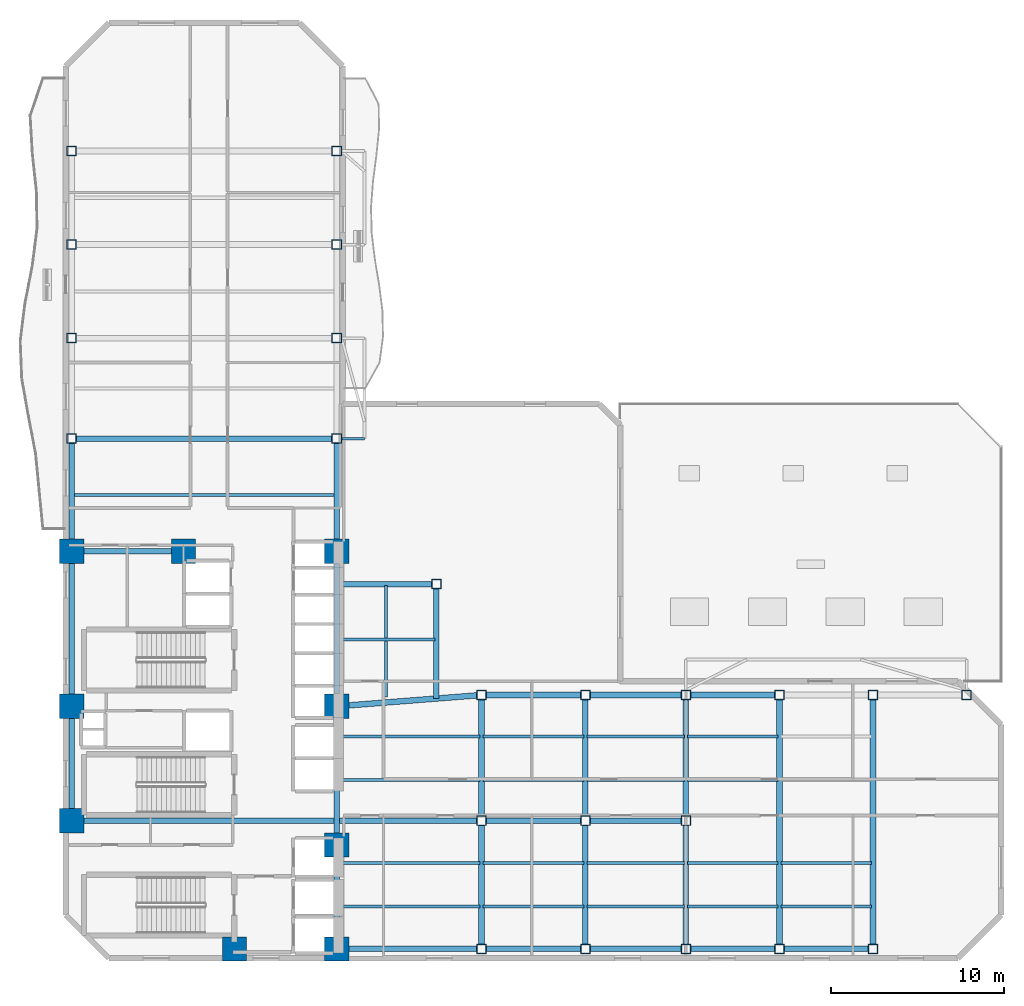
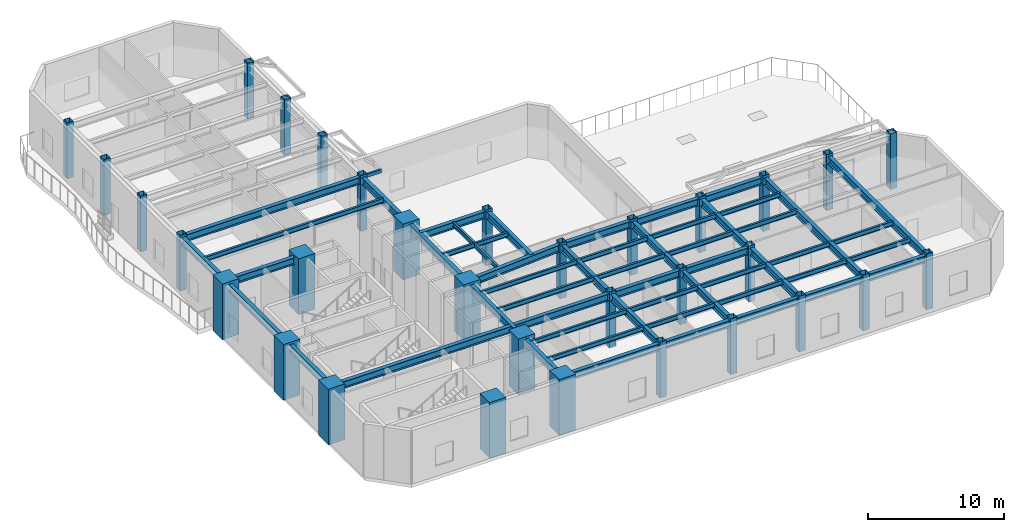
# One storey, part 1 of 10: 53 beams, 32 columns.
"""IFC4 building model written with IfcOpenShell, lengths in metres."""

from ifc_helpers import new_model, si_unit, direction, frame, origin, origin_2d, place, context, subcontext, project, spatial, rectangle, hollow_rectangle, i_section, extrude, material, material_profile, profile_set, type_object, element, save


model = new_model("IFC4")

# Units and contexts
model_context = context("Model", 3, precision=1e-05, world=origin(), true_north=direction((0.0, 1.0)))
body_context = subcontext(model_context, "Body", "Model", "MODEL_VIEW")
ifc_project = project(units=[si_unit("LENGTHUNIT", "METRE"), si_unit("AREAUNIT", "SQUARE_METRE"), si_unit("VOLUMEUNIT", "CUBIC_METRE"), si_unit("PLANEANGLEUNIT", "RADIAN"), si_unit("MASSUNIT", "GRAM", prefix="KILO")], contexts=[model_context])

# Site, building, storey
site_placement = place(None, origin())
site = spatial("IfcSite", under=ifc_project, at=site_placement, CompositionType="ELEMENT")
building_placement = place(site_placement, origin())
building = spatial("IfcBuilding", under=site, at=building_placement, Name="Mawjaban Terraces University", CompositionType="ELEMENT")
storey_placement = place(building_placement, frame((0.0, 0.0, 26.0)))
storey = spatial("IfcBuildingStorey", under=building, at=storey_placement, Name="L05", CompositionType="ELEMENT", Elevation=26.0)

# Columns
ifc_material_1 = material(Name="Concrete C70/85", Category="concrete")
ifc_material_profile_1 = material_profile(ifc_material_1, rectangle(XDim=1.39990234375, YDim=1.39990234375, at=origin_2d()), Name="RC1400X1400")
ifc_profile_set_1 = profile_set([ifc_material_profile_1], Name="Concrete C70/85")
column_type_1 = type_object("IfcColumnType", Name="Col_RC1400X1400", PredefinedType="COLUMN", material=ifc_profile_set_1)
for number, where, z_axis, x_axis, name in (
    (1, (31.75, 0.550048828125, 0.0), (0.0, 0.0, 1.0), (1.0, 0.0, 0.0), "L05 Column CC2"),
    (2, (37.64990234375, 0.550048828125, 0.0), (0.0, 0.0, 1.0), (1.0, 0.0, 0.0), "L05 Column CC3"),
    (3, (22.35009765625, 7.949951171875, 0.0), (0.0, 0.0, 1.0), (1.0, 0.0, 0.0), "L05 Column CC4"),
    (4, (37.64990234375, 6.550048828125, 0.0), (0.0, 0.0, 1.0), (1.0, 0.0, 0.0), "L05 Column CC5"),
    (5, (22.35009765625, 14.550048828125, 0.0), (0.0, 0.0, 1.0), (1.0, 0.0, 0.0), "L05 Column CC6"),
    (6, (37.64990234375, 14.550048828125, 0.0), (0.0, 0.0, 1.0), (1.0, 0.0, 0.0), "L05 Column CC7"),
    (7, (22.35009765625, 23.5, 0.0), (0.0, 0.0, 1.0), (1.0, 0.0, 0.0), "L05 Column CC8"),
    (8, (28.800048828125, 23.5, 0.0), (0.0, 0.0, 1.0), (1.0, 0.0, 0.0), "L05 Column CC9"),
    (9, (37.64990234375, 23.5, 0.0), (0.0, 0.0, 1.0), (1.0, 0.0, 0.0), "L05 Column CC10"),
):
    element("IfcColumn", number, at=place(storey_placement, frame(where, z_axis=z_axis, x_axis=x_axis)), inside=storey, type_object=column_type_1, Name=name, PredefinedType="COLUMN", context=body_context, shape_type="SweptSolid", body=[
        extrude(rectangle(XDim=1.39990234375, YDim=1.39990234375, at=origin_2d()), origin(), (0.0, 0.0, 1.0), 5.0),
    ])
ifc_material_2 = material(Name="Steel EN 10210-1 S355J2H", Category="steel")
ifc_material_profile_2 = material_profile(ifc_material_2, hollow_rectangle(XDim=0.550048828125, YDim=0.550048828125, WallThickness=0.02490234375, at=origin_2d()), Name="SHS550X550X25")
ifc_profile_set_2 = profile_set([ifc_material_profile_2], Name="Steel EN 10210-1 S355J2H")
column_type_2 = type_object("IfcColumnType", Name="Col_SHS550X550X25", PredefinedType="COLUMN", material=ifc_profile_set_2)
for number, where, z_axis, x_axis, name in (
    (10, (46.0, 0.550048828125, 0.0), (0.0, 0.0, 1.0), (1.0, 0.0, 0.0), "L05 Column TE-460-005"),
    (11, (46.0, 7.949951171875, 0.0), (0.0, 0.0, 1.0), (1.0, 0.0, 0.0), "L05 Column TE-460-080"),
    (12, (46.0, 15.199951171875, 0.0), (0.0, 0.0, 1.0), (1.0, 0.0, 0.0), "L05 Column TE-460-152"),
    (13, (52.0, 0.550048828125, 0.0), (0.0, 0.0, 1.0), (1.0, 0.0, 0.0), "L05 Column TE-520-005"),
    (14, (52.0, 7.949951171875, 0.0), (0.0, 0.0, 1.0), (1.0, 0.0, 0.0), "L05 Column TE-520-080"),
    (15, (52.0, 15.199951171875, 0.0), (0.0, 0.0, 1.0), (1.0, 0.0, 0.0), "L05 Column TE-520-152"),
    (16, (57.800048828125, 0.550048828125, 0.0), (0.0, 0.0, 1.0), (1.0, 0.0, 0.0), "L05 Column TE-578-005"),
    (17, (57.800048828125, 7.949951171875, 0.0), (0.0, 0.0, 1.0), (1.0, 0.0, 0.0), "L05 Column TE-578-080"),
    (18, (57.800048828125, 15.199951171875, 0.0), (0.0, 0.0, 1.0), (1.0, 0.0, 0.0), "L05 Column TE-578-152"),
    (19, (63.199951171875, 0.550048828125, 0.0), (0.0, 0.0, 1.0), (1.0, 0.0, 0.0), "L05 Column TE-632-005"),
    (20, (63.199951171875, 15.199951171875, 0.0), (0.0, 0.0, 1.0), (1.0, 0.0, 0.0), "L05 Column TE-632-152"),
    (21, (68.60009765625, 0.550048828125, 0.0), (0.0, 0.0, 1.0), (1.0, 0.0, 0.0), "L05 Column TE-686-005"),
    (22, (68.60009765625, 15.199951171875, 0.0), (0.0, 0.0, 1.0), (1.0, 0.0, 0.0), "L05 Column TE-686-152"),
    (23, (74.0, 15.199951171875, 0.0), (0.0, 0.0, 1.0), (1.0, 0.0, 0.0), "L05 Column TE-740-152"),
    (24, (22.35009765625, 30.0, 0.0), (0.0, 0.0, 1.0), (1.0, 0.0, 0.0), "L05 Column TN-223-300"),
    (25, (37.64990234375, 30.0, 0.0), (0.0, 0.0, 1.0), (1.0, 0.0, 0.0), "L05 Column TN-376-300"),
    (26, (22.35009765625, 35.800048828125, 0.0), (0.0, 0.0, 1.0), (1.0, 0.0, 0.0), "L05 Column TN-223-358"),
    (27, (37.64990234375, 35.800048828125, 0.0), (0.0, 0.0, 1.0), (1.0, 0.0, 0.0), "L05 Column TN-376-358"),
    (28, (22.35009765625, 41.199951171875, 0.0), (0.0, 0.0, 1.0), (1.0, 0.0, 0.0), "L05 Column TN-223-412"),
    (29, (37.64990234375, 41.199951171875, 0.0), (0.0, 0.0, 1.0), (1.0, 0.0, 0.0), "L05 Column TN-376-412"),
    (30, (22.35009765625, 46.60009765625, 0.0), (0.0, 0.0, 1.0), (1.0, 0.0, 0.0), "L05 Column TN-223-466"),
    (31, (37.64990234375, 46.60009765625, 0.0), (0.0, 0.0, 1.0), (1.0, 0.0, 0.0), "L05 Column TN-376-466"),
    (32, (43.39990234375, 21.60009765625, 0.0), (0.0, 0.0, 1.0), (1.0, 0.0, 0.0), "L05 Column TS-434-216"),
):
    element("IfcColumn", number, at=place(storey_placement, frame(where, z_axis=z_axis, x_axis=x_axis)), inside=storey, type_object=column_type_2, Name=name, PredefinedType="COLUMN", context=body_context, shape_type="SweptSolid", body=[
        extrude(hollow_rectangle(XDim=0.550048828125, YDim=0.550048828125, WallThickness=0.02490234375, at=origin_2d()), origin(), (0.0, 0.0, 1.0), 5.0),
    ])

# Beams
ifc_material_profile_3 = material_profile(ifc_material_2, hollow_rectangle(XDim=0.14990234375, YDim=0.300048828125, WallThickness=0.012451171875, at=origin_2d()), Name="RHS300X150X12.5")
ifc_profile_set_3 = profile_set([ifc_material_profile_3], Name="Steel EN 10210-1 S355J2H")
beam_type_1 = type_object("IfcBeamType", Name="BalconyCantileverSpandrel_RHS", PredefinedType="SPANDREL", material=ifc_profile_set_3)
beam_1_placement = place(storey_placement, frame((37.925048828125, 30.0, 4.639892578125), z_axis=(1.0, 0.0, 0.0), x_axis=(0.0, 1.0, 0.0)))
element("IfcBeam", 33, at=beam_1_placement, inside=storey, type_object=beam_type_1, Name="L05 Exterior Outrigger TER-L06-CLIMB.1", PredefinedType="SPANDREL", context=body_context, shape_type="SweptSolid", body=[
    extrude(hollow_rectangle(XDim=0.14990234375, YDim=0.300048828125, WallThickness=0.012451171875, at=origin_2d()), origin(), (0.0, 0.0, 1.0), 1.324951171875),
])
ifc_material_3 = material(Name="Steel ASTM A572 Grade 50", Category="steel")
ifc_material_profile_4 = material_profile(ifc_material_3, i_section(OverallWidth=0.3291015625, OverallDepth=0.635009765625, WebThickness=0.017822265625, FlangeThickness=0.031005859375, at=origin_2d()), Name="W610X241")
ifc_profile_set_4 = profile_set([ifc_material_profile_4], Name="Steel ASTM A572 Grade 50")
beam_type_2 = type_object("IfcBeamType", Name="Beam_B_W610X241", PredefinedType="BEAM", material=ifc_profile_set_4)
beam_2_placement = place(storey_placement, frame((38.35009765625, 0.550048828125, 4.472900390625), z_axis=(1.0, 0.0, 0.0), x_axis=(0.0, 1.0, 0.0)))
element("IfcBeam", 34, at=beam_2_placement, inside=storey, type_object=beam_type_2, Name="L05 Beam BM-L05-EW-01", PredefinedType="BEAM", context=body_context, shape_type="SweptSolid", body=[
    extrude(i_section(OverallWidth=0.3291015625, OverallDepth=0.635009765625, WebThickness=0.017822265625, FlangeThickness=0.031005859375, at=origin_2d()), origin(), (0.0, 0.0, 1.0), 7.375),
])
beam_3_placement = place(storey_placement, frame((46.27490234375, 0.550048828125, 4.472900390625), z_axis=(1.0, 0.0, 0.0), x_axis=(0.0, 1.0, 0.0)))
element("IfcBeam", 35, at=beam_3_placement, inside=storey, type_object=beam_type_2, Name="L05 Beam BM-L05-EW-02", PredefinedType="BEAM", context=body_context, shape_type="SweptSolid", body=[
    extrude(i_section(OverallWidth=0.3291015625, OverallDepth=0.635009765625, WebThickness=0.017822265625, FlangeThickness=0.031005859375, at=origin_2d()), origin(), (0.0, 0.0, 1.0), 5.4501953125),
])
beam_4_placement = place(storey_placement, frame((52.27490234375, 0.550048828125, 4.472900390625), z_axis=(1.0, 0.0, 0.0), x_axis=(0.0, 1.0, 0.0)))
element("IfcBeam", 36, at=beam_4_placement, inside=storey, type_object=beam_type_2, Name="L05 Beam BM-L05-EW-03", PredefinedType="BEAM", context=body_context, shape_type="SweptSolid", body=[
    extrude(i_section(OverallWidth=0.3291015625, OverallDepth=0.635009765625, WebThickness=0.017822265625, FlangeThickness=0.031005859375, at=origin_2d()), origin(), (0.0, 0.0, 1.0), 5.25),
])
beam_5_placement = place(storey_placement, frame((58.074951171875, 0.550048828125, 4.472900390625), z_axis=(1.0, 0.0, 0.0), x_axis=(0.0, 1.0, 0.0)))
element("IfcBeam", 37, at=beam_5_placement, inside=storey, type_object=beam_type_2, Name="L05 Beam BM-L05-EW-04", PredefinedType="BEAM", context=body_context, shape_type="SweptSolid", body=[
    extrude(i_section(OverallWidth=0.3291015625, OverallDepth=0.635009765625, WebThickness=0.017822265625, FlangeThickness=0.031005859375, at=origin_2d()), origin(), (0.0, 0.0, 1.0), 4.85009765625),
])
beam_6_placement = place(storey_placement, frame((63.47509765625, 0.550048828125, 4.472900390625), z_axis=(1.0, 0.0, 0.0), x_axis=(0.0, 1.0, 0.0)))
element("IfcBeam", 38, at=beam_6_placement, inside=storey, type_object=beam_type_2, Name="L05 Beam BM-L05-EW-05", PredefinedType="BEAM", context=body_context, shape_type="SweptSolid", body=[
    extrude(i_section(OverallWidth=0.3291015625, OverallDepth=0.635009765625, WebThickness=0.017822265625, FlangeThickness=0.031005859375, at=origin_2d()), origin(), (0.0, 0.0, 1.0), 4.849853515625),
])
beam_7_placement = place(storey_placement, frame((23.050048828125, 7.949951171875, 4.472900390625), z_axis=(1.0, 0.0, 0.0), x_axis=(0.0, 1.0, 0.0)))
element("IfcBeam", 39, at=beam_7_placement, inside=storey, type_object=beam_type_2, Name="L05 Beam BM-L05-EW-06", PredefinedType="BEAM", context=body_context, shape_type="SweptSolid", body=[
    extrude(i_section(OverallWidth=0.3291015625, OverallDepth=0.635009765625, WebThickness=0.017822265625, FlangeThickness=0.031005859375, at=origin_2d()), origin(), (0.0, 0.0, 1.0), 22.675048828125),
])
beam_8_placement = place(storey_placement, frame((46.27490234375, 7.949951171875, 4.472900390625), z_axis=(1.0, 0.0, 0.0), x_axis=(0.0, 1.0, 0.0)))
element("IfcBeam", 40, at=beam_8_placement, inside=storey, type_object=beam_type_2, Name="L05 Beam BM-L05-EW-07", PredefinedType="BEAM", context=body_context, shape_type="SweptSolid", body=[
    extrude(i_section(OverallWidth=0.3291015625, OverallDepth=0.635009765625, WebThickness=0.017822265625, FlangeThickness=0.031005859375, at=origin_2d()), origin(), (0.0, 0.0, 1.0), 5.4501953125),
])
beam_9_placement = place(storey_placement, frame((52.27490234375, 7.949951171875, 4.472900390625), z_axis=(1.0, 0.0, 0.0), x_axis=(0.0, 1.0, 0.0)))
element("IfcBeam", 41, at=beam_9_placement, inside=storey, type_object=beam_type_2, Name="L05 Beam BM-L05-EW-08", PredefinedType="BEAM", context=body_context, shape_type="SweptSolid", body=[
    extrude(i_section(OverallWidth=0.3291015625, OverallDepth=0.635009765625, WebThickness=0.017822265625, FlangeThickness=0.031005859375, at=origin_2d()), origin(), (0.0, 0.0, 1.0), 5.25),
])
beam_10_placement = place(storey_placement, frame((46.27490234375, 15.199951171875, 4.472900390625), z_axis=(1.0, 0.0, 0.0), x_axis=(0.0, 1.0, 0.0)))
element("IfcBeam", 42, at=beam_10_placement, inside=storey, type_object=beam_type_2, Name="L05 Beam BM-L05-EW-09", PredefinedType="BEAM", context=body_context, shape_type="SweptSolid", body=[
    extrude(i_section(OverallWidth=0.3291015625, OverallDepth=0.635009765625, WebThickness=0.017822265625, FlangeThickness=0.031005859375, at=origin_2d()), origin(), (0.0, 0.0, 1.0), 5.4501953125),
])
beam_11_placement = place(storey_placement, frame((52.27490234375, 15.199951171875, 4.472900390625), z_axis=(1.0, 0.0, 0.0), x_axis=(0.0, 1.0, 0.0)))
element("IfcBeam", 43, at=beam_11_placement, inside=storey, type_object=beam_type_2, Name="L05 Beam BM-L05-EW-10", PredefinedType="BEAM", context=body_context, shape_type="SweptSolid", body=[
    extrude(i_section(OverallWidth=0.3291015625, OverallDepth=0.635009765625, WebThickness=0.017822265625, FlangeThickness=0.031005859375, at=origin_2d()), origin(), (0.0, 0.0, 1.0), 5.25),
])
beam_12_placement = place(storey_placement, frame((58.074951171875, 15.199951171875, 4.472900390625), z_axis=(1.0, 0.0, 0.0), x_axis=(0.0, 1.0, 0.0)))
element("IfcBeam", 44, at=beam_12_placement, inside=storey, type_object=beam_type_2, Name="L05 Beam BM-L05-EW-11", PredefinedType="BEAM", context=body_context, shape_type="SweptSolid", body=[
    extrude(i_section(OverallWidth=0.3291015625, OverallDepth=0.635009765625, WebThickness=0.017822265625, FlangeThickness=0.031005859375, at=origin_2d()), origin(), (0.0, 0.0, 1.0), 4.85009765625),
])
beam_13_placement = place(storey_placement, frame((23.050048828125, 23.5, 4.472900390625), z_axis=(1.0, 0.0, 0.0), x_axis=(0.0, 1.0, 0.0)))
element("IfcBeam", 45, at=beam_13_placement, inside=storey, type_object=beam_type_2, Name="L05 Beam BM-L05-EW-14", PredefinedType="BEAM", context=body_context, shape_type="SweptSolid", body=[
    extrude(i_section(OverallWidth=0.3291015625, OverallDepth=0.635009765625, WebThickness=0.017822265625, FlangeThickness=0.031005859375, at=origin_2d()), origin(), (0.0, 0.0, 1.0), 5.050048828125),
])
beam_14_placement = place(storey_placement, frame((22.625, 30.0, 4.472900390625), z_axis=(1.0, 0.0, 0.0), x_axis=(0.0, 1.0, 0.0)))
element("IfcBeam", 46, at=beam_14_placement, inside=storey, type_object=beam_type_2, Name="L05 Beam BM-L05-EW-15", PredefinedType="BEAM", context=body_context, shape_type="SweptSolid", body=[
    extrude(i_section(OverallWidth=0.3291015625, OverallDepth=0.635009765625, WebThickness=0.017822265625, FlangeThickness=0.031005859375, at=origin_2d()), origin(), (0.0, 0.0, 1.0), 14.75),
])
beam_15_placement = place(storey_placement, frame((22.35009765625, 8.64990234375, 4.472900390625), z_axis=(0.0, 1.0, 0.0), x_axis=(-1.0, 0.0, 0.0)))
element("IfcBeam", 47, at=beam_15_placement, inside=storey, type_object=beam_type_2, Name="L05 Beam BM-L05-NS-01", PredefinedType="BEAM", context=body_context, shape_type="SweptSolid", body=[
    extrude(i_section(OverallWidth=0.3291015625, OverallDepth=0.635009765625, WebThickness=0.017822265625, FlangeThickness=0.031005859375, at=origin_2d()), origin(), (0.0, 0.0, 1.0), 5.2001953125),
])
beam_16_placement = place(storey_placement, frame((22.35009765625, 15.25, 4.472900390625), z_axis=(0.0, 1.0, 0.0), x_axis=(-1.0, 0.0, 0.0)))
element("IfcBeam", 48, at=beam_16_placement, inside=storey, type_object=beam_type_2, Name="L05 Beam BM-L05-NS-02", PredefinedType="BEAM", context=body_context, shape_type="SweptSolid", body=[
    extrude(i_section(OverallWidth=0.3291015625, OverallDepth=0.635009765625, WebThickness=0.017822265625, FlangeThickness=0.031005859375, at=origin_2d()), origin(), (0.0, 0.0, 1.0), 7.550048828125),
])
beam_17_placement = place(storey_placement, frame((22.35009765625, 24.199951171875, 4.472900390625), z_axis=(0.0, 1.0, 0.0), x_axis=(-1.0, 0.0, 0.0)))
element("IfcBeam", 49, at=beam_17_placement, inside=storey, type_object=beam_type_2, Name="L05 Beam BM-L05-NS-03", PredefinedType="BEAM", context=body_context, shape_type="SweptSolid", body=[
    extrude(i_section(OverallWidth=0.3291015625, OverallDepth=0.635009765625, WebThickness=0.017822265625, FlangeThickness=0.031005859375, at=origin_2d()), origin(), (0.0, 0.0, 1.0), 5.525146484375),
])
beam_18_placement = place(storey_placement, frame((37.64990234375, 1.25, 4.472900390625), z_axis=(0.0, 1.0, 0.0), x_axis=(-1.0, 0.0, 0.0)))
element("IfcBeam", 50, at=beam_18_placement, inside=storey, type_object=beam_type_2, Name="L05 Beam BM-L05-NS-07", PredefinedType="BEAM", context=body_context, shape_type="SweptSolid", body=[
    extrude(i_section(OverallWidth=0.3291015625, OverallDepth=0.635009765625, WebThickness=0.017822265625, FlangeThickness=0.031005859375, at=origin_2d()), origin(), (0.0, 0.0, 1.0), 4.60009765625),
])
beam_19_placement = place(storey_placement, frame((37.64990234375, 7.25, 4.472900390625), z_axis=(0.0, 1.0, 0.0), x_axis=(-1.0, 0.0, 0.0)))
element("IfcBeam", 51, at=beam_19_placement, inside=storey, type_object=beam_type_2, Name="L05 Beam BM-L05-NS-08", PredefinedType="BEAM", context=body_context, shape_type="SweptSolid", body=[
    extrude(i_section(OverallWidth=0.3291015625, OverallDepth=0.635009765625, WebThickness=0.017822265625, FlangeThickness=0.031005859375, at=origin_2d()), origin(), (0.0, 0.0, 1.0), 6.60009765625),
])
beam_20_placement = place(storey_placement, frame((37.64990234375, 15.25, 4.472900390625), z_axis=(0.0, 1.0, 0.0), x_axis=(-1.0, 0.0, 0.0)))
element("IfcBeam", 52, at=beam_20_placement, inside=storey, type_object=beam_type_2, Name="L05 Beam BM-L05-NS-09", PredefinedType="BEAM", context=body_context, shape_type="SweptSolid", body=[
    extrude(i_section(OverallWidth=0.3291015625, OverallDepth=0.635009765625, WebThickness=0.017822265625, FlangeThickness=0.031005859375, at=origin_2d()), origin(), (0.0, 0.0, 1.0), 7.550048828125),
])
beam_21_placement = place(storey_placement, frame((37.64990234375, 24.199951171875, 4.472900390625), z_axis=(0.0, 1.0, 0.0), x_axis=(-1.0, 0.0, 0.0)))
element("IfcBeam", 53, at=beam_21_placement, inside=storey, type_object=beam_type_2, Name="L05 Beam BM-L05-NS-10", PredefinedType="BEAM", context=body_context, shape_type="SweptSolid", body=[
    extrude(i_section(OverallWidth=0.3291015625, OverallDepth=0.635009765625, WebThickness=0.017822265625, FlangeThickness=0.031005859375, at=origin_2d()), origin(), (0.0, 0.0, 1.0), 5.525146484375),
])
beam_22_placement = place(storey_placement, frame((46.0, 0.824951171875, 4.472900390625), z_axis=(0.0, 1.0, 0.0), x_axis=(-1.0, 0.0, 0.0)))
element("IfcBeam", 54, at=beam_22_placement, inside=storey, type_object=beam_type_2, Name="L05 Beam BM-L05-NS-14", PredefinedType="BEAM", context=body_context, shape_type="SweptSolid", body=[
    extrude(i_section(OverallWidth=0.3291015625, OverallDepth=0.635009765625, WebThickness=0.017822265625, FlangeThickness=0.031005859375, at=origin_2d()), origin(), (0.0, 0.0, 1.0), 6.85009765625),
])
beam_23_placement = place(storey_placement, frame((46.0, 8.22509765625, 4.472900390625), z_axis=(0.0, 1.0, 0.0), x_axis=(-1.0, 0.0, 0.0)))
element("IfcBeam", 55, at=beam_23_placement, inside=storey, type_object=beam_type_2, Name="L05 Beam BM-L05-NS-15", PredefinedType="BEAM", context=body_context, shape_type="SweptSolid", body=[
    extrude(i_section(OverallWidth=0.3291015625, OverallDepth=0.635009765625, WebThickness=0.017822265625, FlangeThickness=0.031005859375, at=origin_2d()), origin(), (0.0, 0.0, 1.0), 6.699951171875),
])
beam_24_placement = place(storey_placement, frame((52.0, 0.824951171875, 4.472900390625), z_axis=(0.0, 1.0, 0.0), x_axis=(-1.0, 0.0, 0.0)))
element("IfcBeam", 56, at=beam_24_placement, inside=storey, type_object=beam_type_2, Name="L05 Beam BM-L05-NS-16", PredefinedType="BEAM", context=body_context, shape_type="SweptSolid", body=[
    extrude(i_section(OverallWidth=0.3291015625, OverallDepth=0.635009765625, WebThickness=0.017822265625, FlangeThickness=0.031005859375, at=origin_2d()), origin(), (0.0, 0.0, 1.0), 6.85009765625),
])
beam_25_placement = place(storey_placement, frame((52.0, 8.22509765625, 4.472900390625), z_axis=(0.0, 1.0, 0.0), x_axis=(-1.0, 0.0, 0.0)))
element("IfcBeam", 57, at=beam_25_placement, inside=storey, type_object=beam_type_2, Name="L05 Beam BM-L05-NS-17", PredefinedType="BEAM", context=body_context, shape_type="SweptSolid", body=[
    extrude(i_section(OverallWidth=0.3291015625, OverallDepth=0.635009765625, WebThickness=0.017822265625, FlangeThickness=0.031005859375, at=origin_2d()), origin(), (0.0, 0.0, 1.0), 6.699951171875),
])
beam_26_placement = place(storey_placement, frame((57.800048828125, 0.824951171875, 4.472900390625), z_axis=(0.0, 1.0, 0.0), x_axis=(-1.0, 0.0, 0.0)))
element("IfcBeam", 58, at=beam_26_placement, inside=storey, type_object=beam_type_2, Name="L05 Beam BM-L05-NS-18", PredefinedType="BEAM", context=body_context, shape_type="SweptSolid", body=[
    extrude(i_section(OverallWidth=0.3291015625, OverallDepth=0.635009765625, WebThickness=0.017822265625, FlangeThickness=0.031005859375, at=origin_2d()), origin(), (0.0, 0.0, 1.0), 6.85009765625),
])
beam_27_placement = place(storey_placement, frame((57.800048828125, 8.22509765625, 4.472900390625), z_axis=(0.0, 1.0, 0.0), x_axis=(-1.0, 0.0, 0.0)))
element("IfcBeam", 59, at=beam_27_placement, inside=storey, type_object=beam_type_2, Name="L05 Beam BM-L05-NS-19", PredefinedType="BEAM", context=body_context, shape_type="SweptSolid", body=[
    extrude(i_section(OverallWidth=0.3291015625, OverallDepth=0.635009765625, WebThickness=0.017822265625, FlangeThickness=0.031005859375, at=origin_2d()), origin(), (0.0, 0.0, 1.0), 6.699951171875),
])
for number, where, z_axis, x_axis, name in (
    (60, (63.199951171875, 0.824951171875, 4.472900390625), (0.0, 1.0, 0.0), (-1.0, 0.0, 0.0), "L05 Beam BM-L05-NS-20"),
    (61, (68.60009765625, 0.824951171875, 4.472900390625), (0.0, 1.0, 0.0), (-1.0, 0.0, 0.0), "L05 Beam BM-L05-NS-21"),
):
    element("IfcBeam", number, at=place(storey_placement, frame(where, z_axis=z_axis, x_axis=x_axis)), inside=storey, type_object=beam_type_2, Name=name, PredefinedType="BEAM", context=body_context, shape_type="SweptSolid", body=[
        extrude(i_section(OverallWidth=0.3291015625, OverallDepth=0.635009765625, WebThickness=0.017822265625, FlangeThickness=0.031005859375, at=origin_2d()), origin(), (0.0, 0.0, 1.0), 14.10009765625),
    ])
beam_28_placement = place(storey_placement, frame((38.347900390625, 14.60400390625, 4.472900390625), z_axis=(0.996977531908, 0.077690416851, 0.0), x_axis=(-0.077690416851, 0.996977531908, 0.0)))
element("IfcBeam", 62, at=beam_28_placement, inside=storey, type_object=beam_type_2, Name="L05 Beam BM-L05-CTIE", PredefinedType="BEAM", context=body_context, shape_type="SweptSolid", body=[
    extrude(i_section(OverallWidth=0.3291015625, OverallDepth=0.635009765625, WebThickness=0.017822265625, FlangeThickness=0.031005859375, at=origin_2d()), origin(), (0.0, 0.0, 1.0), 7.400634765625),
])
beam_29_placement = place(storey_placement, frame((37.679931640625, 21.60009765625, 4.472900390625), z_axis=(1.0, 0.0, 0.0), x_axis=(0.0, 1.0, 0.0)))
element("IfcBeam", 63, at=beam_29_placement, inside=storey, type_object=beam_type_2, Name="L05 Spur Tie Girder West", PredefinedType="BEAM", context=body_context, shape_type="SweptSolid", body=[
    extrude(i_section(OverallWidth=0.3291015625, OverallDepth=0.635009765625, WebThickness=0.017822265625, FlangeThickness=0.031005859375, at=origin_2d()), origin(), (0.0, 0.0, 1.0), 5.445068359375),
])
beam_30_placement = place(storey_placement, frame((43.39990234375, 15.0, 4.472900390625), z_axis=(0.0, 1.0, 0.0), x_axis=(-1.0, 0.0, 0.0)))
element("IfcBeam", 64, at=beam_30_placement, inside=storey, type_object=beam_type_2, Name="L05 Spur Tie Girder South", PredefinedType="BEAM", context=body_context, shape_type="SweptSolid", body=[
    extrude(i_section(OverallWidth=0.3291015625, OverallDepth=0.635009765625, WebThickness=0.017822265625, FlangeThickness=0.031005859375, at=origin_2d()), origin(), (0.0, 0.0, 1.0), 6.324951171875),
])
ifc_material_profile_5 = material_profile(ifc_material_3, i_section(OverallWidth=0.179931640625, OverallDepth=0.4130859375, WebThickness=0.009765625, FlangeThickness=0.01611328125, at=origin_2d()), Name="W410X74")
ifc_profile_set_5 = profile_set([ifc_material_profile_5], Name="Steel ASTM A572 Grade 50")
beam_type_3 = type_object("IfcBeamType", Name="Beam_J_W410X74", PredefinedType="JOIST", material=ifc_profile_set_5)
beam_31_placement = place(storey_placement, frame((37.72998046875, 3.0, 4.583984375), z_axis=(1.0, 0.0, 0.0), x_axis=(0.0, 1.0, 0.0)))
element("IfcBeam", 65, at=beam_31_placement, inside=storey, type_object=beam_type_3, Name="L05 Composite Joist JST-L05-01", PredefinedType="JOIST", context=body_context, shape_type="SweptSolid", body=[
    extrude(i_section(OverallWidth=0.179931640625, OverallDepth=0.4130859375, WebThickness=0.009765625, FlangeThickness=0.01611328125, at=origin_2d()), origin(), (0.0, 0.0, 1.0), 8.18994140625),
])
beam_32_placement = place(storey_placement, frame((46.080078125, 3.0, 4.583984375), z_axis=(1.0, 0.0, 0.0), x_axis=(0.0, 1.0, 0.0)))
element("IfcBeam", 66, at=beam_32_placement, inside=storey, type_object=beam_type_3, Name="L05 Composite Joist JST-L05-02", PredefinedType="JOIST", context=body_context, shape_type="SweptSolid", body=[
    extrude(i_section(OverallWidth=0.179931640625, OverallDepth=0.4130859375, WebThickness=0.009765625, FlangeThickness=0.01611328125, at=origin_2d()), origin(), (0.0, 0.0, 1.0), 5.83984375),
])
beam_33_placement = place(storey_placement, frame((52.080078125, 3.0, 4.583984375), z_axis=(1.0, 0.0, 0.0), x_axis=(0.0, 1.0, 0.0)))
element("IfcBeam", 67, at=beam_33_placement, inside=storey, type_object=beam_type_3, Name="L05 Composite Joist JST-L05-03", PredefinedType="JOIST", context=body_context, shape_type="SweptSolid", body=[
    extrude(i_section(OverallWidth=0.179931640625, OverallDepth=0.4130859375, WebThickness=0.009765625, FlangeThickness=0.01611328125, at=origin_2d()), origin(), (0.0, 0.0, 1.0), 5.639892578125),
])
beam_34_placement = place(storey_placement, frame((57.8798828125, 3.0, 4.583984375), z_axis=(1.0, 0.0, 0.0), x_axis=(0.0, 1.0, 0.0)))
element("IfcBeam", 68, at=beam_34_placement, inside=storey, type_object=beam_type_3, Name="L05 Composite Joist JST-L05-04", PredefinedType="JOIST", context=body_context, shape_type="SweptSolid", body=[
    extrude(i_section(OverallWidth=0.179931640625, OverallDepth=0.4130859375, WebThickness=0.009765625, FlangeThickness=0.01611328125, at=origin_2d()), origin(), (0.0, 0.0, 1.0), 5.240234375),
])
beam_35_placement = place(storey_placement, frame((63.280029296875, 3.0, 4.583984375), z_axis=(1.0, 0.0, 0.0), x_axis=(0.0, 1.0, 0.0)))
element("IfcBeam", 69, at=beam_35_placement, inside=storey, type_object=beam_type_3, Name="L05 Composite Joist JST-L05-05", PredefinedType="JOIST", context=body_context, shape_type="SweptSolid", body=[
    extrude(i_section(OverallWidth=0.179931640625, OverallDepth=0.4130859375, WebThickness=0.009765625, FlangeThickness=0.01611328125, at=origin_2d()), origin(), (0.0, 0.0, 1.0), 5.239990234375),
])
beam_36_placement = place(storey_placement, frame((37.72998046875, 5.5, 4.583984375), z_axis=(1.0, 0.0, 0.0), x_axis=(0.0, 1.0, 0.0)))
element("IfcBeam", 70, at=beam_36_placement, inside=storey, type_object=beam_type_3, Name="L05 Composite Joist JST-L05-06", PredefinedType="JOIST", context=body_context, shape_type="SweptSolid", body=[
    extrude(i_section(OverallWidth=0.179931640625, OverallDepth=0.4130859375, WebThickness=0.009765625, FlangeThickness=0.01611328125, at=origin_2d()), origin(), (0.0, 0.0, 1.0), 8.18994140625),
])
beam_37_placement = place(storey_placement, frame((46.080078125, 5.5, 4.583984375), z_axis=(1.0, 0.0, 0.0), x_axis=(0.0, 1.0, 0.0)))
element("IfcBeam", 71, at=beam_37_placement, inside=storey, type_object=beam_type_3, Name="L05 Composite Joist JST-L05-07", PredefinedType="JOIST", context=body_context, shape_type="SweptSolid", body=[
    extrude(i_section(OverallWidth=0.179931640625, OverallDepth=0.4130859375, WebThickness=0.009765625, FlangeThickness=0.01611328125, at=origin_2d()), origin(), (0.0, 0.0, 1.0), 5.83984375),
])
beam_38_placement = place(storey_placement, frame((52.080078125, 5.5, 4.583984375), z_axis=(1.0, 0.0, 0.0), x_axis=(0.0, 1.0, 0.0)))
element("IfcBeam", 72, at=beam_38_placement, inside=storey, type_object=beam_type_3, Name="L05 Composite Joist JST-L05-08", PredefinedType="JOIST", context=body_context, shape_type="SweptSolid", body=[
    extrude(i_section(OverallWidth=0.179931640625, OverallDepth=0.4130859375, WebThickness=0.009765625, FlangeThickness=0.01611328125, at=origin_2d()), origin(), (0.0, 0.0, 1.0), 5.639892578125),
])
beam_39_placement = place(storey_placement, frame((57.8798828125, 5.5, 4.583984375), z_axis=(1.0, 0.0, 0.0), x_axis=(0.0, 1.0, 0.0)))
element("IfcBeam", 73, at=beam_39_placement, inside=storey, type_object=beam_type_3, Name="L05 Composite Joist JST-L05-09", PredefinedType="JOIST", context=body_context, shape_type="SweptSolid", body=[
    extrude(i_section(OverallWidth=0.179931640625, OverallDepth=0.4130859375, WebThickness=0.009765625, FlangeThickness=0.01611328125, at=origin_2d()), origin(), (0.0, 0.0, 1.0), 5.240234375),
])
beam_40_placement = place(storey_placement, frame((63.280029296875, 5.5, 4.583984375), z_axis=(1.0, 0.0, 0.0), x_axis=(0.0, 1.0, 0.0)))
element("IfcBeam", 74, at=beam_40_placement, inside=storey, type_object=beam_type_3, Name="L05 Composite Joist JST-L05-10", PredefinedType="JOIST", context=body_context, shape_type="SweptSolid", body=[
    extrude(i_section(OverallWidth=0.179931640625, OverallDepth=0.4130859375, WebThickness=0.009765625, FlangeThickness=0.01611328125, at=origin_2d()), origin(), (0.0, 0.0, 1.0), 5.239990234375),
])
beam_41_placement = place(storey_placement, frame((37.72998046875, 10.300048828125, 4.583984375), z_axis=(1.0, 0.0, 0.0), x_axis=(0.0, 1.0, 0.0)))
element("IfcBeam", 75, at=beam_41_placement, inside=storey, type_object=beam_type_3, Name="L05 Composite Joist JST-L05-11", PredefinedType="JOIST", context=body_context, shape_type="SweptSolid", body=[
    extrude(i_section(OverallWidth=0.179931640625, OverallDepth=0.4130859375, WebThickness=0.009765625, FlangeThickness=0.01611328125, at=origin_2d()), origin(), (0.0, 0.0, 1.0), 8.18994140625),
])
beam_42_placement = place(storey_placement, frame((46.080078125, 10.300048828125, 4.583984375), z_axis=(1.0, 0.0, 0.0), x_axis=(0.0, 1.0, 0.0)))
element("IfcBeam", 76, at=beam_42_placement, inside=storey, type_object=beam_type_3, Name="L05 Composite Joist JST-L05-12", PredefinedType="JOIST", context=body_context, shape_type="SweptSolid", body=[
    extrude(i_section(OverallWidth=0.179931640625, OverallDepth=0.4130859375, WebThickness=0.009765625, FlangeThickness=0.01611328125, at=origin_2d()), origin(), (0.0, 0.0, 1.0), 5.83984375),
])
beam_43_placement = place(storey_placement, frame((52.080078125, 10.300048828125, 4.583984375), z_axis=(1.0, 0.0, 0.0), x_axis=(0.0, 1.0, 0.0)))
element("IfcBeam", 77, at=beam_43_placement, inside=storey, type_object=beam_type_3, Name="L05 Composite Joist JST-L05-13", PredefinedType="JOIST", context=body_context, shape_type="SweptSolid", body=[
    extrude(i_section(OverallWidth=0.179931640625, OverallDepth=0.4130859375, WebThickness=0.009765625, FlangeThickness=0.01611328125, at=origin_2d()), origin(), (0.0, 0.0, 1.0), 5.639892578125),
])
beam_44_placement = place(storey_placement, frame((57.8798828125, 10.300048828125, 4.583984375), z_axis=(1.0, 0.0, 0.0), x_axis=(0.0, 1.0, 0.0)))
element("IfcBeam", 78, at=beam_44_placement, inside=storey, type_object=beam_type_3, Name="L05 Composite Joist JST-L05-14", PredefinedType="JOIST", context=body_context, shape_type="SweptSolid", body=[
    extrude(i_section(OverallWidth=0.179931640625, OverallDepth=0.4130859375, WebThickness=0.009765625, FlangeThickness=0.01611328125, at=origin_2d()), origin(), (0.0, 0.0, 1.0), 5.240234375),
])
beam_45_placement = place(storey_placement, frame((37.72998046875, 12.800048828125, 4.583984375), z_axis=(1.0, 0.0, 0.0), x_axis=(0.0, 1.0, 0.0)))
element("IfcBeam", 79, at=beam_45_placement, inside=storey, type_object=beam_type_3, Name="L05 Composite Joist JST-L05-16", PredefinedType="JOIST", context=body_context, shape_type="SweptSolid", body=[
    extrude(i_section(OverallWidth=0.179931640625, OverallDepth=0.4130859375, WebThickness=0.009765625, FlangeThickness=0.01611328125, at=origin_2d()), origin(), (0.0, 0.0, 1.0), 8.18994140625),
])
beam_46_placement = place(storey_placement, frame((46.080078125, 12.800048828125, 4.583984375), z_axis=(1.0, 0.0, 0.0), x_axis=(0.0, 1.0, 0.0)))
element("IfcBeam", 80, at=beam_46_placement, inside=storey, type_object=beam_type_3, Name="L05 Composite Joist JST-L05-17", PredefinedType="JOIST", context=body_context, shape_type="SweptSolid", body=[
    extrude(i_section(OverallWidth=0.179931640625, OverallDepth=0.4130859375, WebThickness=0.009765625, FlangeThickness=0.01611328125, at=origin_2d()), origin(), (0.0, 0.0, 1.0), 5.83984375),
])
beam_47_placement = place(storey_placement, frame((52.080078125, 12.800048828125, 4.583984375), z_axis=(1.0, 0.0, 0.0), x_axis=(0.0, 1.0, 0.0)))
element("IfcBeam", 81, at=beam_47_placement, inside=storey, type_object=beam_type_3, Name="L05 Composite Joist JST-L05-18", PredefinedType="JOIST", context=body_context, shape_type="SweptSolid", body=[
    extrude(i_section(OverallWidth=0.179931640625, OverallDepth=0.4130859375, WebThickness=0.009765625, FlangeThickness=0.01611328125, at=origin_2d()), origin(), (0.0, 0.0, 1.0), 5.639892578125),
])
beam_48_placement = place(storey_placement, frame((57.8798828125, 12.800048828125, 4.583984375), z_axis=(1.0, 0.0, 0.0), x_axis=(0.0, 1.0, 0.0)))
element("IfcBeam", 82, at=beam_48_placement, inside=storey, type_object=beam_type_3, Name="L05 Composite Joist JST-L05-19", PredefinedType="JOIST", context=body_context, shape_type="SweptSolid", body=[
    extrude(i_section(OverallWidth=0.179931640625, OverallDepth=0.4130859375, WebThickness=0.009765625, FlangeThickness=0.01611328125, at=origin_2d()), origin(), (0.0, 0.0, 1.0), 5.240234375),
])
beam_49_placement = place(storey_placement, frame((37.72998046875, 18.39990234375, 4.583984375), z_axis=(1.0, 0.0, 0.0), x_axis=(0.0, 1.0, 0.0)))
element("IfcBeam", 83, at=beam_49_placement, inside=storey, type_object=beam_type_3, Name="L05 Composite Joist JST-L05-21", PredefinedType="JOIST", context=body_context, shape_type="SweptSolid", body=[
    extrude(i_section(OverallWidth=0.179931640625, OverallDepth=0.4130859375, WebThickness=0.009765625, FlangeThickness=0.01611328125, at=origin_2d()), origin(), (0.0, 0.0, 1.0), 5.590087890625),
])
beam_50_placement = place(storey_placement, frame((22.429931640625, 26.75, 4.583984375), z_axis=(1.0, 0.0, 0.0), x_axis=(0.0, 1.0, 0.0)))
element("IfcBeam", 84, at=beam_50_placement, inside=storey, type_object=beam_type_3, Name="L05 Composite Joist JST-L05-22", PredefinedType="JOIST", context=body_context, shape_type="SweptSolid", body=[
    extrude(i_section(OverallWidth=0.179931640625, OverallDepth=0.4130859375, WebThickness=0.009765625, FlangeThickness=0.01611328125, at=origin_2d()), origin(), (0.0, 0.0, 1.0), 15.14013671875),
])
beam_51_placement = place(storey_placement, frame((40.5, 15.080078125, 4.583984375), z_axis=(0.0, 1.0, 0.0), x_axis=(-1.0, 0.0, 0.0)))
element("IfcBeam", 85, at=beam_51_placement, inside=storey, type_object=beam_type_3, Name="L05 Composite Joist JST-L05-NS-26", PredefinedType="JOIST", context=body_context, shape_type="SweptSolid", body=[
    extrude(i_section(OverallWidth=0.179931640625, OverallDepth=0.4130859375, WebThickness=0.009765625, FlangeThickness=0.01611328125, at=origin_2d()), origin(), (0.0, 0.0, 1.0), 6.43994140625),
])

save(model, "model.ifc")
